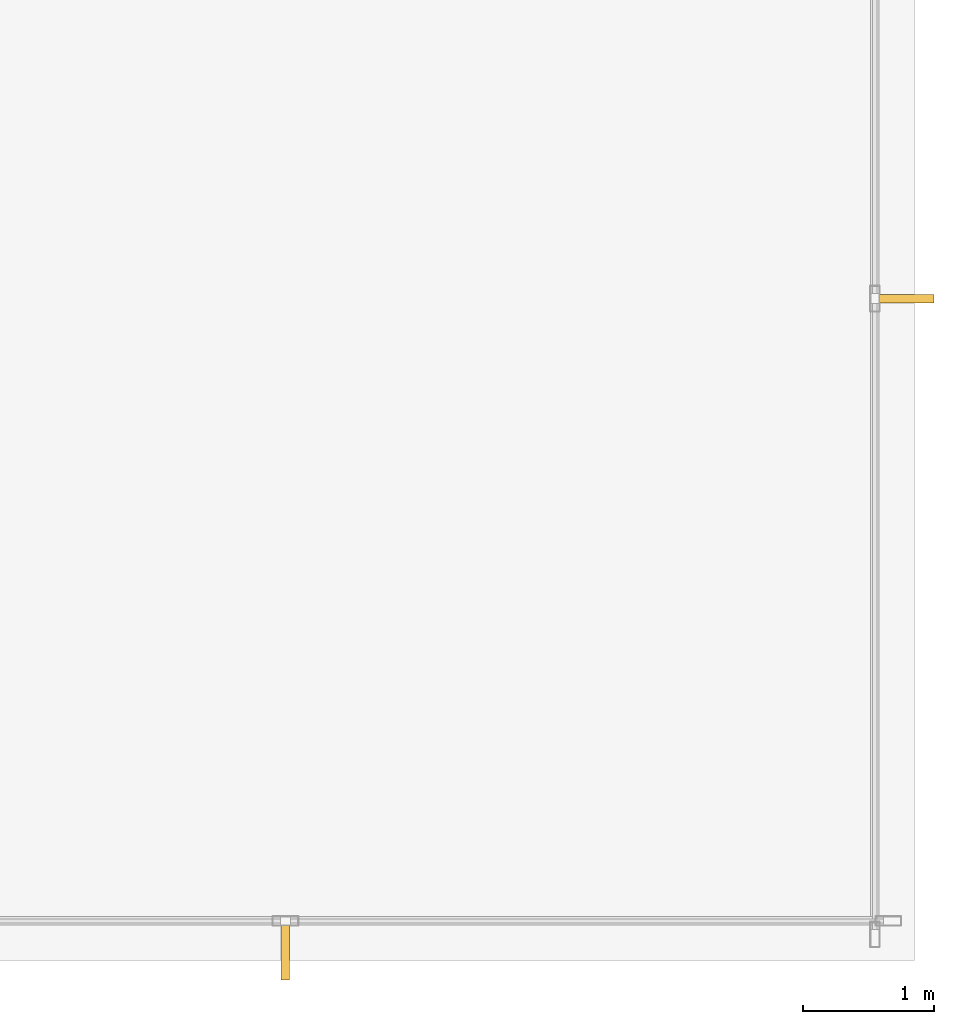
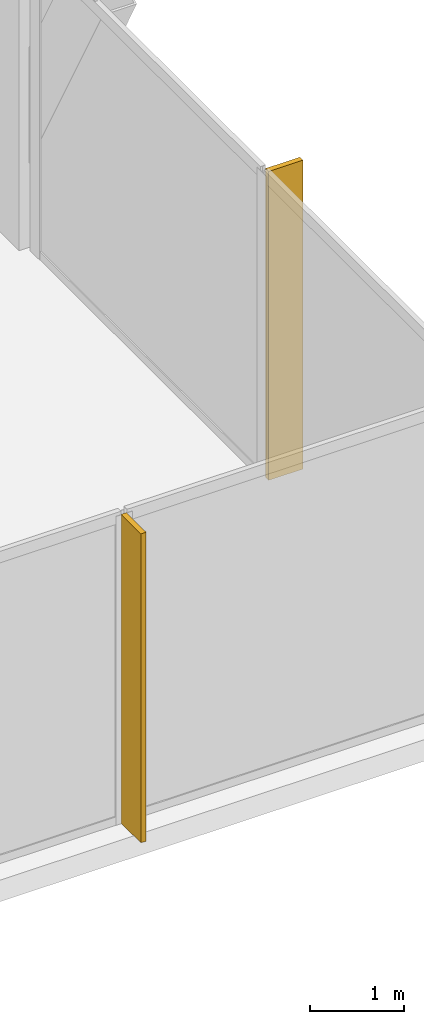
# One storey, part 38 of 42: 2 shading devices.
"""IFC4 building model written with IfcOpenShell, lengths in metres."""

import ifcopenshell
import ifcopenshell.guid

model = None  # the IFC model being written
_history = None  # IfcOwnerHistory: only IFC2X3 demands one
_inside = {}  # id of a spatial element -> (the spatial element, [elements in it])
_under = {}  # id of a project, library or spatial element -> (it, [spatial elements below it])
_declared = {}  # id of a project -> (the project, [libraries it declares])
_typed = {}  # id of a type object -> (the type object, [elements of that type])
_made_of = {}  # id of a material, layer set ... -> (it, [elements and type objects made of it])


def new_model(schema):
    """Start an empty IFC model of exactly this schema.

    Asked for "IFC4X3", IfcOpenShell would pick the latest addendum, in which some entities
    have other attributes; the version numbers below select the first issue.
    IFC2X3 requires an IfcOwnerHistory on every rooted entity: one is made here for all.
    """
    global model, _history
    if schema == "IFC4X3":
        model = ifcopenshell.file(schema_version=(4, 3, 0, 0))
    else:
        model = ifcopenshell.file(schema=schema)
    _inside.clear()
    _under.clear()
    _declared.clear()
    _typed.clear()
    _made_of.clear()
    _history = None
    if model.schema == "IFC2X3":
        org = make("IfcOrganization", Name="unknown")
        user = make(
            "IfcPersonAndOrganization",
            ThePerson=make("IfcPerson", FamilyName="unknown"),
            TheOrganization=org,
        )
        app = make(
            "IfcApplication",
            ApplicationDeveloper=org,
            Version="unknown",
            ApplicationFullName="unknown",
            ApplicationIdentifier="unknown",
        )
        _history = make(
            "IfcOwnerHistory",
            OwningUser=user,
            OwningApplication=app,
            ChangeAction="ADDED",
            CreationDate=0,
        )
    return model


def make(cls, **values):
    """One entity of the class cls with the attributes given. An attribute that is None is left unset."""
    return model.create_entity(
        cls, **{name: value for name, value in values.items() if value is not None}
    )


def rooted(cls, **values):
    """An entity with a GlobalId (a new one), such as an element, a storey or a relation."""
    return make(cls, GlobalId=ifcopenshell.guid.new(), OwnerHistory=_history, **values)


def si_unit(unit_type, name, prefix=None):
    """IfcSIUnit, for example si_unit("LENGTHUNIT", "METRE", prefix="MILLI")."""
    return make("IfcSIUnit", UnitType=unit_type, Prefix=prefix, Name=name)


def assignment(units):
    """IfcUnitAssignment: the units of a project."""
    return None if units is None else make("IfcUnitAssignment", Units=units)


def point(xyz):
    """IfcCartesianPoint."""
    return None if xyz is None else make("IfcCartesianPoint", Coordinates=xyz)


def direction(xyz):
    """IfcDirection."""
    return None if xyz is None else make("IfcDirection", DirectionRatios=xyz)


def frame(location, z_axis=None, x_axis=None):
    """IfcAxis2Placement3D, a coordinate frame: its origin and axes. An axis left out is left unset."""
    return make(
        "IfcAxis2Placement3D",
        Location=point(location),
        Axis=direction(z_axis),
        RefDirection=direction(x_axis),
    )


def frame_2d(location, x_axis=None):
    """IfcAxis2Placement2D, a coordinate frame in the plane: its origin and x axis."""
    return make(
        "IfcAxis2Placement2D", Location=point(location), RefDirection=direction(x_axis)
    )


def origin():
    """The frame at (0, 0, 0) with its axes left unset."""
    return frame((0.0, 0.0, 0.0))


def origin_2d():
    """The frame at (0, 0) in the plane with its x axis left unset."""
    return frame_2d((0.0, 0.0))


def place(relative_to, where):
    """IfcLocalPlacement: puts the frame where relative to a parent placement (None: the world)."""
    return make(
        "IfcLocalPlacement", PlacementRelTo=relative_to, RelativePlacement=where
    )


def context(
    kind, dimensions, precision=None, world=None, true_north=None, identifier=None
):
    """IfcGeometricRepresentationContext, for example the 3D "Model" context."""
    return make(
        "IfcGeometricRepresentationContext",
        ContextIdentifier=identifier,
        ContextType=kind,
        CoordinateSpaceDimension=dimensions,
        Precision=precision,
        WorldCoordinateSystem=world,
        TrueNorth=true_north,
    )


def subcontext(parent, identifier, kind, view, scale=None):
    """IfcGeometricRepresentationSubContext, for example "Body" below "Model"."""
    return make(
        "IfcGeometricRepresentationSubContext",
        ContextIdentifier=identifier,
        ContextType=kind,
        ParentContext=parent,
        TargetScale=scale,
        TargetView=view,
    )


def project(units=None, contexts=None):
    """IfcProject with its units and contexts."""
    return rooted(
        "IfcProject",
        Name="project",
        RepresentationContexts=contexts,
        UnitsInContext=assignment(units),
    )


def spatial(cls, under=None, at=None, **own):
    """A site, building, storey or space (cls), placed at a placement, below another one or the project."""
    s = rooted(cls, ObjectPlacement=at, **own)
    if under is not None:
        _under.setdefault(under.id(), (under, []))[1].append(s)
    return s


def profile(cls, at=None, kind="AREA", **sizes):
    """A parametric profile (cls). Its sizes go by their IFC names, for example OverallWidth=200.0."""
    return make(cls, ProfileType=kind, Position=at, **sizes)


def rectangle(**sizes):
    """IfcRectangleProfileDef."""
    return profile("IfcRectangleProfileDef", **sizes)


def extrude(swept, where, along, depth):
    """IfcExtrudedAreaSolid: the profile swept, set in the frame where, extruded along a direction by depth."""
    return make(
        "IfcExtrudedAreaSolid",
        SweptArea=swept,
        Position=where,
        ExtrudedDirection=direction(along),
        Depth=depth,
    )


def shape(context_of_items, identifier, shape_type, items):
    """IfcShapeRepresentation: the items that make up one representation, for example the "Body"."""
    return make(
        "IfcShapeRepresentation",
        ContextOfItems=context_of_items,
        RepresentationIdentifier=identifier,
        RepresentationType=shape_type,
        Items=items,
    )


def material(Name=None, Category=None):
    """IfcMaterial."""
    return make("IfcMaterial", Name=Name, Category=Category)


def layer(
    of_material, thickness, ventilated=None, Name=None, Category=None, Priority=None
):
    """IfcMaterialLayer: one layer of a wall or slab, of a material (None: an air gap)."""
    return make(
        "IfcMaterialLayer",
        Material=of_material,
        LayerThickness=thickness,
        IsVentilated=ventilated,
        Name=Name,
        Category=Category,
        Priority=Priority,
    )


def layer_set(layers, Name=None):
    """IfcMaterialLayerSet."""
    return make("IfcMaterialLayerSet", MaterialLayers=layers, LayerSetName=Name)


def made_of(thing, what):
    """Note that an element or type object is made of a material, layer set ...; save() writes the relation."""
    if what is not None:
        _made_of.setdefault(what.id(), (what, []))[1].append(thing)
    return thing


def type_object(cls, material=None, **own):
    """A type object (cls), such as IfcWallType, which elements share."""
    return made_of(rooted(cls, **own), material)


def element(
    cls,
    number,
    at=None,
    inside=None,
    cuts=None,
    type_object=None,
    material=None,
    context=None,
    identifier="Body",
    shape_type=None,
    held_by="IfcProductDefinitionShape",
    body=None,
    shapes=None,
    **own,
):
    """One element of the class cls, such as IfcWall. Its Tag is "e" and its number.

    at: its placement. inside: the storey or other place that contains it. cuts: it is an
    opening in that element (IfcRelVoidsElement). A single representation is given by context,
    identifier, shape_type and body (its items); several are given by shapes. held_by: the class
    of the entity that holds the representations. save() writes the other relations.
    """
    e = rooted(cls, Tag="e%d" % number, ObjectPlacement=at, **own)
    if body is not None:
        shapes = [shape(context, identifier, shape_type, body)]
    if shapes is not None:
        e.Representation = make(held_by, Representations=shapes)
    if inside is not None:
        _inside.setdefault(inside.id(), (inside, []))[1].append(e)
    if cuts is not None:
        rooted(
            "IfcRelVoidsElement", RelatingBuildingElement=cuts, RelatedOpeningElement=e
        )
    if type_object is not None:
        _typed.setdefault(type_object.id(), (type_object, []))[1].append(e)
    return made_of(e, material)


def aggregate(whole, parts):
    """IfcRelAggregates: a whole, such as a stair, and the parts it consists of."""
    return rooted("IfcRelAggregates", RelatingObject=whole, RelatedObjects=parts)


def save(model, path):
    """Write the relations noted so far, then the file.

    IfcRelAggregates (storeys below a building ...), IfcRelContainedInSpatialStructure (elements
    in a storey), IfcRelDefinesByType, IfcRelAssociatesMaterial and IfcRelDeclares: one each for
    every whole, place, type object, material and project.
    """
    for whole, parts in _under.values():
        aggregate(whole, parts)
    for where, things in _inside.values():
        rooted(
            "IfcRelContainedInSpatialStructure",
            RelatedElements=things,
            RelatingStructure=where,
        )
    for kind, things in _typed.values():
        rooted("IfcRelDefinesByType", RelatedObjects=things, RelatingType=kind)
    for what, things in _made_of.values():
        rooted("IfcRelAssociatesMaterial", RelatedObjects=things, RelatingMaterial=what)
    for by, libraries in _declared.values():
        rooted("IfcRelDeclares", RelatingContext=by, RelatedDefinitions=libraries)
    model.write(path)


model = new_model("IFC4")

# Units and contexts
model_context = context("Model", 3, precision=1e-05, world=origin(), true_north=direction((0.0, 1.0)))
body_context = subcontext(model_context, "Body", "Model", "MODEL_VIEW")
ifc_project = project(units=[si_unit("LENGTHUNIT", "METRE"), si_unit("AREAUNIT", "SQUARE_METRE"), si_unit("VOLUMEUNIT", "CUBIC_METRE"), si_unit("PLANEANGLEUNIT", "RADIAN"), si_unit("MASSUNIT", "GRAM", prefix="KILO")], contexts=[model_context])

# Site, building, storey
site_placement = place(None, origin())
site = spatial("IfcSite", under=ifc_project, at=site_placement, CompositionType="ELEMENT")
building_placement = place(site_placement, origin())
building = spatial("IfcBuilding", under=site, at=building_placement, Name="Orvanel Arch Residences", CompositionType="ELEMENT")
storey_placement = place(building_placement, frame((0.0, 0.0, 5.5)))
storey = spatial("IfcBuildingStorey", under=building, at=storey_placement, Name="L01", CompositionType="ELEMENT", Elevation=5.5)

# Shading devices
ifc_material = material(Name="Bronze-anodised aluminium AA6063-T6", Category="aluminium")
ifc_layer = layer(ifc_material, 0.06494140625)
ifc_layer_set = layer_set([ifc_layer], Name="Bronze-anodised aluminium AA6063-T6")
shading_device_type = type_object("IfcShadingDeviceType", Name="FIN-BRZ-420", PredefinedType="USERDEFINED", material=ifc_layer_set)
for number, where, z_axis, x_axis, name in (
    (1, (59.965087890625, 0.510009765625, 0.0), (0.0, 0.0, 1.0), (0.0, -1.0, 0.0), "L01 Anodised Bronze Mullion FIN 01"),
    (2, (64.68994140625, 5.485107421875, 0.0), (0.0, 0.0, 1.0), (1.0, 0.0, 0.0), "L01 Anodised Bronze Mullion FIN 01"),
):
    element("IfcShadingDevice", number, at=place(storey_placement, frame(where, z_axis=z_axis, x_axis=x_axis)), inside=storey, type_object=shading_device_type, Name=name, ObjectType="FIN", PredefinedType="USERDEFINED", context=body_context, shape_type="SweptSolid", body=[
        extrude(rectangle(XDim=0.419921875, YDim=0.06494140625, at=origin_2d()), origin(), (0.0, 0.0, 1.0), 4.02001953125),
    ])

save(model, "model.ifc")
